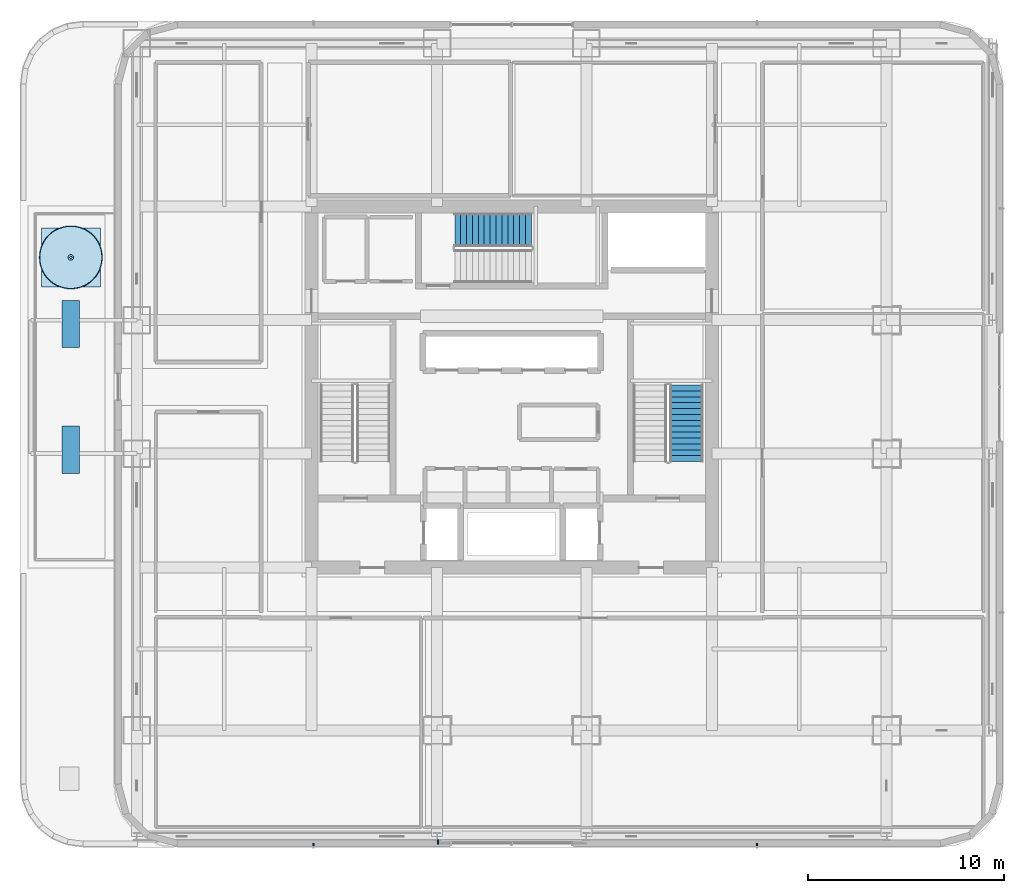
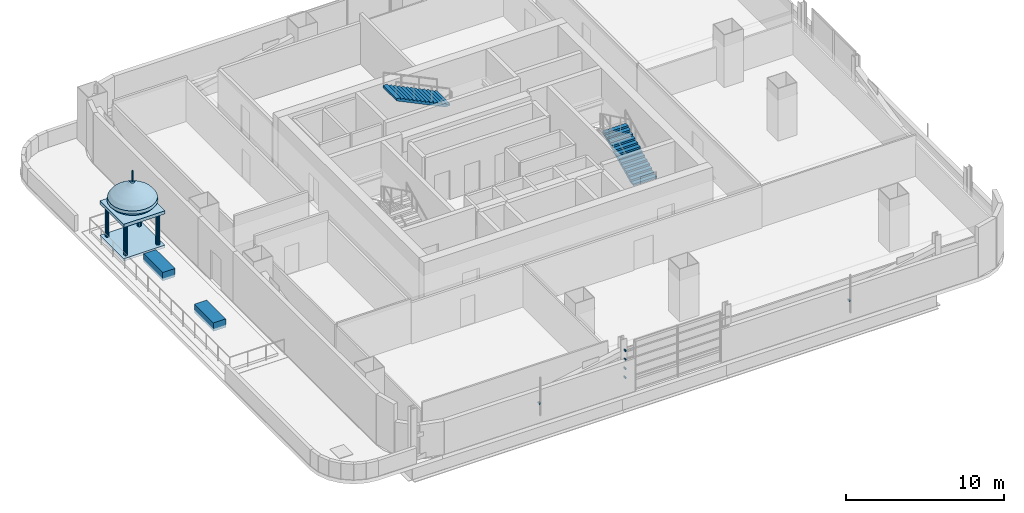
# One storey, part 14 of 27: 8 discrete accessories, 2 stair flights, 1 roof, 2 elements without a shape of their own.
"""IFC4 building model written with IfcOpenShell, lengths in metres."""

from ifc_helpers import new_model, entity, si_unit, direction, frame, origin, origin_2d, place, context, subcontext, project, spatial, polyline, rectangle, circle, outline, extrude, material, type_object, element, aggregate, save


model = new_model("IFC4")

# Units and contexts
model_context = context("Model", 3, precision=1e-05, world=origin(), true_north=direction((0.0, 1.0)))
body_context = subcontext(model_context, "Body", "Model", "MODEL_VIEW")
ifc_project = project(units=[si_unit("LENGTHUNIT", "METRE"), si_unit("AREAUNIT", "SQUARE_METRE"), si_unit("VOLUMEUNIT", "CUBIC_METRE"), si_unit("PLANEANGLEUNIT", "RADIAN"), si_unit("MASSUNIT", "GRAM", prefix="KILO")], contexts=[model_context])

# Site, building, storey
site_placement = place(None, origin())
site = spatial("IfcSite", under=ifc_project, at=site_placement, CompositionType="ELEMENT")
building_placement = place(site_placement, origin())
building = spatial("IfcBuilding", under=site, at=building_placement, Name="Punatoya Terracotta Tower", CompositionType="ELEMENT")
storey_placement = place(building_placement, frame((0.0, 0.0, 204.60009765625)))
storey = spatial("IfcBuildingStorey", under=building, at=storey_placement, Name="L48", CompositionType="ELEMENT", Elevation=204.60009765625)

# Stair, stair flight
ifc_material_1 = material(Name="Concrete C40/50", Category="concrete")
stair_type_1 = type_object("IfcStairType", Name="STR-LOB-1650", PredefinedType="HALF_TURN_STAIR", material=ifc_material_1)
stair_1_placement = place(storey_placement, origin())
stair_1 = element("IfcStair", 1, at=stair_1_placement, inside=storey, type_object=stair_type_1, Name="L48 Protected Core Exit Stair ST-2", PredefinedType="HALF_TURN_STAIR")
stair_flight_type_1 = type_object("IfcStairFlightType", Name="SFL-LOB-1650", PredefinedType="STRAIGHT", material=ifc_material_1)
stair_flight_1_placement = place(storey_placement, frame((8.89990234375, -3.800048828125, 0.0), z_axis=(0.0, 0.0, 1.0), x_axis=(0.0, 1.0, 0.0)))
stair_flight_1 = element("IfcStairFlight", 2, at=stair_flight_1_placement, type_object=stair_flight_type_1, Name="ST-2 flight 1", NumberOfRisers=14, NumberOfTreads=13, PredefinedType="STRAIGHT", RiserHeight=0.144642857, TreadLength=0.3, context=body_context, shape_type="SweptSolid", body=[
    extrude(outline(polyline([(0.0, 0.0), (0.0, 0.14453125), (0.300048828125, 0.14453125), (0.300048828125, 0.289306640625), (0.60009765625, 0.289306640625), (0.60009765625, 0.433837890625), (0.89990234375, 0.433837890625), (0.89990234375, 0.57861328125), (1.199951171875, 0.57861328125), (1.199951171875, 0.72314453125), (1.5, 0.72314453125), (1.5, 0.867919921875), (1.800048828125, 0.867919921875), (1.800048828125, 1.012451171875), (2.10009765625, 1.012451171875), (2.10009765625, 1.1572265625), (2.39990234375, 1.1572265625), (2.39990234375, 1.3017578125), (2.699951171875, 1.3017578125), (2.699951171875, 1.446533203125), (3.0, 1.446533203125), (3.0, 1.591064453125), (3.300048828125, 1.591064453125), (3.300048828125, 1.735595703125), (3.60009765625, 1.735595703125), (3.60009765625, 1.88037109375), (3.89990234375, 1.88037109375), (3.89990234375, 2.02490234375), (3.89990234375, 1.7138671875), (0.34521484375, 0.0), (0.0, 0.0)])), frame((0.0, 0.85009765625, 0.0), z_axis=(0.0, -1.0, 0.0), x_axis=(1.0, 0.0, 0.0)), (0.0, 0.0, 1.0), 1.699951171875),
])
aggregate(stair_1, [stair_flight_1])

stair_type_2 = type_object("IfcStairType", Name="STR-TER-1450", PredefinedType="HALF_TURN_STAIR", material=ifc_material_1)
stair_2_placement = place(storey_placement, origin())
stair_2 = element("IfcStair", 3, at=stair_2_placement, inside=storey, type_object=stair_type_2, Name="L48 Protected Core Exit Stair ST-3", PredefinedType="HALF_TURN_STAIR")
stair_flight_type_2 = type_object("IfcStairFlightType", Name="SFL-TER-1450", PredefinedType="STRAIGHT", material=ifc_material_1)
stair_flight_2_placement = place(storey_placement, frame((1.0, 8.0, 2.02490234375), z_axis=(0.0, 0.0, 1.0), x_axis=(-1.0, 0.0, 0.0)))
stair_flight_2 = element("IfcStairFlight", 4, at=stair_flight_2_placement, type_object=stair_flight_type_2, Name="ST-3 flight 2", NumberOfRisers=14, NumberOfTreads=13, PredefinedType="STRAIGHT", RiserHeight=0.144642857, TreadLength=0.3, context=body_context, shape_type="SweptSolid", body=[
    extrude(outline(polyline([(0.0, 0.0), (0.0, 0.14453125), (0.300048828125, 0.14453125), (0.300048828125, 0.289306640625), (0.60009765625, 0.289306640625), (0.60009765625, 0.433837890625), (0.89990234375, 0.433837890625), (0.89990234375, 0.57861328125), (1.199951171875, 0.57861328125), (1.199951171875, 0.72314453125), (1.5, 0.72314453125), (1.5, 0.867919921875), (1.800048828125, 0.867919921875), (1.800048828125, 1.012451171875), (2.10009765625, 1.012451171875), (2.10009765625, 1.1572265625), (2.39990234375, 1.1572265625), (2.39990234375, 1.3017578125), (2.699951171875, 1.3017578125), (2.699951171875, 1.446533203125), (3.0, 1.446533203125), (3.0, 1.591064453125), (3.300048828125, 1.591064453125), (3.300048828125, 1.735595703125), (3.60009765625, 1.735595703125), (3.60009765625, 1.88037109375), (3.89990234375, 1.88037109375), (3.89990234375, 2.02490234375), (3.89990234375, 1.7138671875), (0.34521484375, 0.0), (0.0, 0.0)])), frame((0.0, 0.85009765625, 0.0), z_axis=(0.0, -1.0, 0.0), x_axis=(1.0, 0.0, 0.0)), (0.0, 0.0, 1.0), 1.699951171875),
])
aggregate(stair_2, [stair_flight_2])

# Roof
ifc_material_2 = material(Name="Architectural Fired Terracotta", Category="masonry")
roof_type = type_object("IfcRoofType", Name="ROF-CHH-2600", PredefinedType="DOME_ROOF", material=ifc_material_2)
roof_placement = place(storey_placement, frame((-22.4599609375, 6.60009765625, 0.0), z_axis=(0.0, 0.0, 1.0), x_axis=(1.0, 0.0, 0.0)))
cartesian_point = entity("IfcCartesianPoint", [0.0, 0.0])
element("IfcRoof", 5, at=roof_placement, inside=storey, type_object=roof_type, Name="L48 Sky Terrace Pavilion (Chhatri) CH-07", PredefinedType="DOME_ROOF", context=body_context, shape_type="SweptSolid", body=[
    extrude(rectangle(XDim=3.0, YDim=3.0, at=origin_2d()), origin(), (0.0, 0.0, 1.0), 0.199951171875),
    extrude(circle(Radius=0.1298828125, at=origin_2d()), frame((-1.169921875, -1.169921875, 0.199951171875)), (0.0, 0.0, 1.0), 2.39990234375),
    extrude(circle(Radius=0.1298828125, at=origin_2d()), frame((1.169921875, -1.169921875, 0.199951171875)), (0.0, 0.0, 1.0), 2.39990234375),
    extrude(circle(Radius=0.1298828125, at=origin_2d()), frame((1.169921875, 1.169921875, 0.199951171875)), (0.0, 0.0, 1.0), 2.39990234375),
    extrude(circle(Radius=0.1298828125, at=origin_2d()), frame((-1.169921875, 1.169921875, 0.199951171875)), (0.0, 0.0, 1.0), 2.39990234375),
    extrude(rectangle(XDim=3.0, YDim=3.0, at=origin_2d()), frame((0.0, 0.0, 2.599853515625)), (0.0, 0.0, 1.0), 0.25),
    entity("IfcRevolvedAreaSolid", entity("IfcArbitraryClosedProfileDef", "AREA", None, entity("IfcPolyline", [cartesian_point, entity("IfcCartesianPoint", [1.06396484375, 0.0]), entity("IfcCartesianPoint", [1.16064453125, 0.094970703125]), entity("IfcCartesianPoint", [1.418701171875, 0.2470703125]), entity("IfcCartesianPoint", [1.612060546875, 0.47509765625]), entity("IfcCartesianPoint", [1.579833984375, 0.702880859375]), entity("IfcCartesianPoint", [1.386474609375, 0.968994140625]), entity("IfcCartesianPoint", [1.03173828125, 1.23486328125]), entity("IfcCartesianPoint", [0.677001953125, 1.462890625]), entity("IfcCartesianPoint", [0.386962890625, 1.634033203125]), entity("IfcCartesianPoint", [0.2255859375, 1.766845703125]), entity("IfcCartesianPoint", [0.14501953125, 1.843017578125]), entity("IfcCartesianPoint", [0.0, 1.89990234375]), cartesian_point])), entity("IfcAxis2Placement3D", entity("IfcCartesianPoint", [0.0, 0.0, 2.849853515625]), entity("IfcDirection", [0.0, -1.0, 0.0]), entity("IfcDirection", [1.0, 0.0, 0.0])), entity("IfcAxis1Placement", entity("IfcCartesianPoint", [0.0, 0.0, 0.0]), entity("IfcDirection", [0.0, 1.0, 0.0])), 6.283185307179586),
    extrude(circle(Radius=0.06005859375, at=origin_2d()), frame((0.0, 0.0, 4.749755859375)), (0.0, 0.0, 1.0), 0.800048828125),
])

# Discrete accessories
ifc_material_3 = material(Name="Steel S355", Category="steel")
discrete_accessory_type_1 = type_object("IfcDiscreteAccessoryType", Name="ACC-BRK-220", PredefinedType="BRACKET", material=ifc_material_3)
for number, where, z_axis, x_axis, name in (
    (6, (-10.093505859375, -23.35009765625, 1.449951171875), (0.0, 0.0, 1.0), (1.0, 0.0, 0.0), "L48 Jali Fin Support Bracket S1"),
    (7, (12.493408203125, -23.35009765625, 1.449951171875), (0.0, 0.0, 1.0), (1.0, 0.0, 0.0), "L48 Jali Fin Support Bracket S2"),
    (8, (-3.75, -23.1826171875, 1.099853515625), (0.0, 0.0, 1.0), (1.0, 0.0, 0.0), "L48 Baguette Louvre Column Bracket BAG-L48-S-01"),
    (9, (-3.75, -23.1826171875, 1.793212890625), (0.0, 0.0, 1.0), (1.0, 0.0, 0.0), "L48 Baguette Louvre Column Bracket BAG-L48-S-02"),
    (10, (-3.75, -23.1826171875, 2.486572265625), (0.0, 0.0, 1.0), (1.0, 0.0, 0.0), "L48 Baguette Louvre Column Bracket BAG-L48-S-03"),
    (11, (-3.75, -23.1826171875, 3.179931640625), (0.0, 0.0, 1.0), (1.0, 0.0, 0.0), "L48 Baguette Louvre Column Bracket BAG-L48-S-04"),
):
    element("IfcDiscreteAccessory", number, at=place(storey_placement, frame(where, z_axis=z_axis, x_axis=x_axis)), inside=storey, type_object=discrete_accessory_type_1, Name=name, PredefinedType="BRACKET", context=body_context, shape_type="SweptSolid", body=[
        extrude(rectangle(XDim=0.090087890625, YDim=0.219970703125, at=origin_2d()), origin(), (0.0, 0.0, 1.0), 0.10009765625),
    ])
ifc_material_4 = material(Name="Architectural Terracotta Planter + Green Soil", Category="masonry")
discrete_accessory_type_2 = type_object("IfcDiscreteAccessoryType", Name="ACC-PLANTER", PredefinedType="USERDEFINED", material=ifc_material_4)
for number, where, z_axis, x_axis, name in (
    (12, (-22.4599609375, -3.199951171875, 0.0), (0.0, 0.0, 1.0), (0.0, 1.0, 0.0), "L48 Planted Terracotta Sky-Garden Planter 1"),
    (13, (-22.4599609375, 3.199951171875, 0.0), (0.0, 0.0, 1.0), (0.0, 1.0, 0.0), "L48 Planted Terracotta Sky-Garden Planter 2"),
):
    element("IfcDiscreteAccessory", number, at=place(storey_placement, frame(where, z_axis=z_axis, x_axis=x_axis)), inside=storey, type_object=discrete_accessory_type_2, Name=name, ObjectType="PLANTER", PredefinedType="USERDEFINED", context=body_context, shape_type="SweptSolid", body=[
        extrude(rectangle(XDim=2.39990234375, YDim=0.89990234375, at=origin_2d()), origin(), (0.0, 0.0, 1.0), 0.64990234375),
    ])

save(model, "model.ifc")
